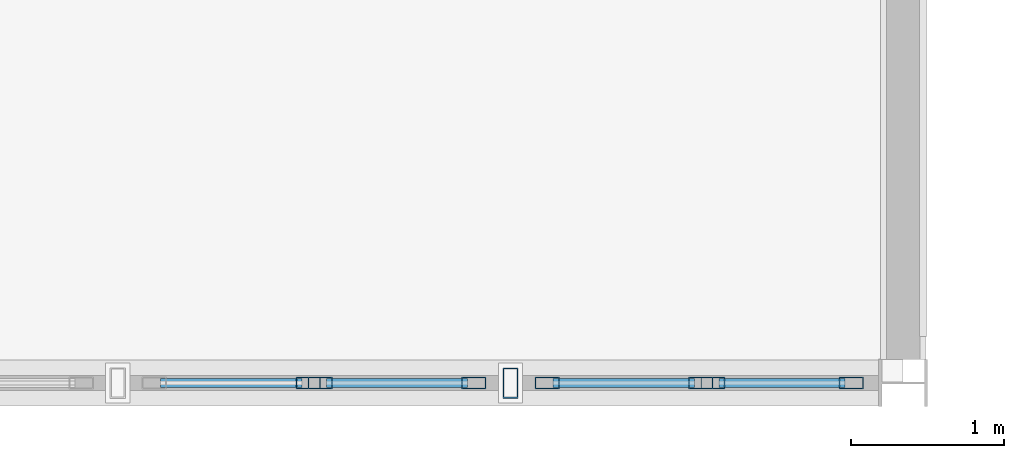
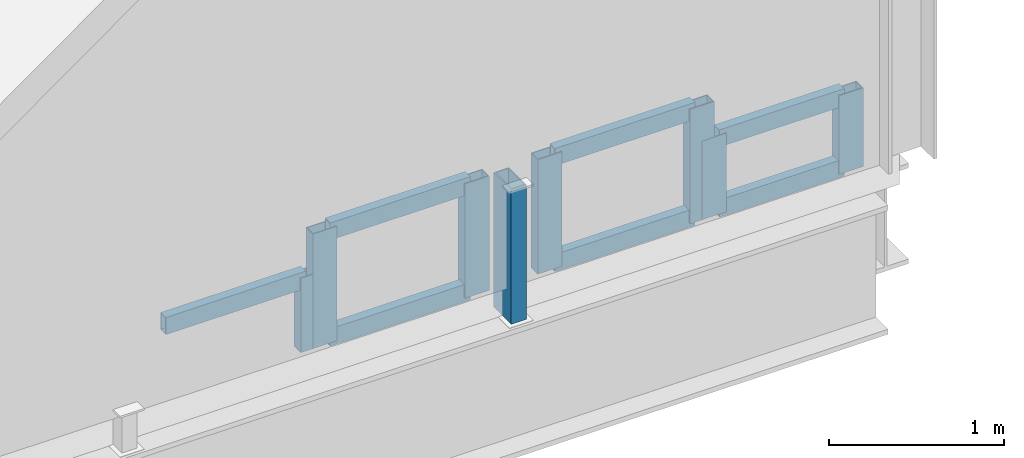
# One storey, part 7 of 20: 15 members, 4 elements without a shape of their own.
"""IFC4 building model written with IfcOpenShell, lengths in metres."""

from ifc_helpers import new_model, si_unit, direction, frame, origin, origin_2d, place, context, subcontext, project, spatial, hollow_rectangle, extrude, material, layer, layer_set, material_profile, profile_set, type_object, element, aggregate, save


model = new_model("IFC4")

# Units and contexts
model_context = context("Model", 3, precision=1e-05, world=origin(), true_north=direction((0.0, 1.0)))
body_context = subcontext(model_context, "Body", "Model", "MODEL_VIEW")
ifc_project = project(units=[si_unit("LENGTHUNIT", "METRE"), si_unit("AREAUNIT", "SQUARE_METRE"), si_unit("VOLUMEUNIT", "CUBIC_METRE"), si_unit("PLANEANGLEUNIT", "RADIAN"), si_unit("MASSUNIT", "GRAM", prefix="KILO"), si_unit("THERMODYNAMICTEMPERATUREUNIT", "KELVIN"), si_unit("POWERUNIT", "WATT")], contexts=[model_context])

# Site, building, storey
site_placement = place(None, origin())
site = spatial("IfcSite", under=ifc_project, at=site_placement, CompositionType="ELEMENT")
building_placement = place(site_placement, origin())
building = spatial("IfcBuilding", under=site, at=building_placement, Name="Kaldorven Railside Theatre", CompositionType="ELEMENT")
storey_placement = place(building_placement, frame((0.0, 0.0, 23.10009765625)))
storey = spatial("IfcBuildingStorey", under=building, at=storey_placement, Name="L05", CompositionType="ELEMENT", Elevation=23.10009765625)

# Curtain wall, member
ifc_material_1 = material(Name="Low-E laminated solar-control glass", Category="glass")
ifc_layer_1 = layer(ifc_material_1, 0.159912109375, Name="Low-E laminated solar-control glass")
ifc_layer_set_1 = layer_set([ifc_layer_1], Name="Low-E laminated solar-control glass")
curtain_wall_type_1 = type_object("IfcCurtainWallType", Name="CWT-43", PredefinedType="USERDEFINED", material=ifc_layer_set_1)
curtain_wall_1_placement = place(storey_placement, origin())
curtain_wall_1 = element("IfcCurtainWall", 1, at=curtain_wall_1_placement, inside=storey, type_object=curtain_wall_type_1, Name="Main Theatre North Ridge Clerestory CWG-057", ObjectType="FLUTED GLAZING", PredefinedType="USERDEFINED")
ifc_material_2 = material(Name="Anodised bronze aluminium", Category="aluminium")
ifc_material_profile_1 = material_profile(ifc_material_2, hollow_rectangle(XDim=0.080078125, YDim=0.159912109375, WallThickness=0.00634765625, at=origin_2d()), Name="RHS 160x80x6.3")
ifc_profile_set_1 = profile_set([ifc_material_profile_1], Name="Anodised bronze aluminium")
member_type_1 = type_object("IfcMemberType", Name="CWM-160", PredefinedType="MULLION", material=ifc_profile_set_1)
member_1_placement = place(storey_placement, frame((119.302978515625, 84.0, 0.02001953125), z_axis=(0.0, 0.0, 1.0), x_axis=(0.0, 1.0, 0.0)))
member_1 = element("IfcMember", 2, at=member_1_placement, type_object=member_type_1, Name="CWG-057 mullion 2", PredefinedType="MULLION", context=body_context, shape_type="SweptSolid", body=[
    extrude(hollow_rectangle(XDim=0.080078125, YDim=0.159912109375, WallThickness=0.00634765625, at=origin_2d()), origin(), (0.0, 0.0, 1.0), 0.519775390625),
])

# Curtain wall, members
ifc_layer_2 = layer(ifc_material_1, 0.159912109375, Name="Low-E laminated solar-control glass")
ifc_layer_set_2 = layer_set([ifc_layer_2], Name="Low-E laminated solar-control glass")
curtain_wall_type_2 = type_object("IfcCurtainWallType", Name="CWT-42", PredefinedType="USERDEFINED", material=ifc_layer_set_2)
curtain_wall_2_placement = place(storey_placement, origin())
curtain_wall_2 = element("IfcCurtainWall", 3, at=curtain_wall_2_placement, inside=storey, type_object=curtain_wall_type_2, Name="Main Theatre North Ridge Clerestory CWG-058", ObjectType="FLUTED GLAZING", PredefinedType="USERDEFINED")
member_2_placement = place(storey_placement, frame((119.3828125, 84.0, 0.02001953125), z_axis=(0.0, 0.0, 1.0), x_axis=(0.0, 1.0, 0.0)))
member_2 = element("IfcMember", 4, at=member_2_placement, type_object=member_type_1, Name="CWG-058 mullion 1", PredefinedType="MULLION", context=body_context, shape_type="SweptSolid", body=[
    extrude(hollow_rectangle(XDim=0.080078125, YDim=0.159912109375, WallThickness=0.00634765625, at=origin_2d()), origin(), (0.0, 0.0, 1.0), 0.7998046875),
])
member_3_placement = place(storey_placement, frame((120.388427734375, 84.0, 0.02001953125), z_axis=(0.0, 0.0, 1.0), x_axis=(0.0, 1.0, 0.0)))
member_3 = element("IfcMember", 5, at=member_3_placement, type_object=member_type_1, Name="CWG-058 mullion 2", PredefinedType="MULLION", context=body_context, shape_type="SweptSolid", body=[
    extrude(hollow_rectangle(XDim=0.080078125, YDim=0.159912109375, WallThickness=0.00634765625, at=origin_2d()), origin(), (0.0, 0.0, 1.0), 0.7998046875),
])

curtain_wall_3_placement = place(storey_placement, origin())
curtain_wall_3 = element("IfcCurtainWall", 6, at=curtain_wall_3_placement, inside=storey, type_object=curtain_wall_type_2, Name="Main Theatre North Ridge Clerestory CWG-059", ObjectType="FLUTED GLAZING", PredefinedType="USERDEFINED")
member_4_placement = place(storey_placement, frame((120.868408203125, 84.0, 0.02001953125), z_axis=(0.0, 0.0, 1.0), x_axis=(0.0, 1.0, 0.0)))
member_4 = element("IfcMember", 7, at=member_4_placement, type_object=member_type_1, Name="CWG-059 mullion 1", PredefinedType="MULLION", context=body_context, shape_type="SweptSolid", body=[
    extrude(hollow_rectangle(XDim=0.080078125, YDim=0.159912109375, WallThickness=0.00634765625, at=origin_2d()), origin(), (0.0, 0.0, 1.0), 0.7998046875),
])
member_5_placement = place(storey_placement, frame((121.874267578125, 84.0, 0.02001953125), z_axis=(0.0, 0.0, 1.0), x_axis=(0.0, 1.0, 0.0)))
member_5 = element("IfcMember", 8, at=member_5_placement, type_object=member_type_1, Name="CWG-059 mullion 2", PredefinedType="MULLION", context=body_context, shape_type="SweptSolid", body=[
    extrude(hollow_rectangle(XDim=0.080078125, YDim=0.159912109375, WallThickness=0.00634765625, at=origin_2d()), origin(), (0.0, 0.0, 1.0), 0.7998046875),
])

ifc_layer_3 = layer(ifc_material_1, 0.159912109375, Name="Low-E laminated solar-control glass")
ifc_layer_set_3 = layer_set([ifc_layer_3], Name="Low-E laminated solar-control glass")
curtain_wall_type_3 = type_object("IfcCurtainWallType", Name="CWT-41", PredefinedType="USERDEFINED", material=ifc_layer_set_3)
curtain_wall_4_placement = place(storey_placement, origin())
curtain_wall_4 = element("IfcCurtainWall", 9, at=curtain_wall_4_placement, inside=storey, type_object=curtain_wall_type_3, Name="Main Theatre North Ridge Clerestory CWG-060", ObjectType="FLUTED GLAZING", PredefinedType="USERDEFINED")
member_6_placement = place(storey_placement, frame((121.954345703125, 84.0, 0.02001953125), z_axis=(0.0, 0.0, 1.0), x_axis=(0.0, 1.0, 0.0)))
member_6 = element("IfcMember", 10, at=member_6_placement, type_object=member_type_1, Name="CWG-060 mullion 1", PredefinedType="MULLION", context=body_context, shape_type="SweptSolid", body=[
    extrude(hollow_rectangle(XDim=0.080078125, YDim=0.159912109375, WallThickness=0.00634765625, at=origin_2d()), origin(), (0.0, 0.0, 1.0), 0.5498046875),
])
member_7_placement = place(storey_placement, frame((122.859619140625, 84.0, 0.02001953125), z_axis=(0.0, 0.0, 1.0), x_axis=(0.0, 1.0, 0.0)))
member_7 = element("IfcMember", 11, at=member_7_placement, type_object=member_type_1, Name="CWG-060 mullion 2", PredefinedType="MULLION", context=body_context, shape_type="SweptSolid", body=[
    extrude(hollow_rectangle(XDim=0.080078125, YDim=0.159912109375, WallThickness=0.00634765625, at=origin_2d()), origin(), (0.0, 0.0, 1.0), 0.5498046875),
])

# Member
ifc_material_profile_2 = material_profile(ifc_material_2, hollow_rectangle(XDim=0.06005859375, YDim=0.1201171875, WallThickness=0.0048828125, at=origin_2d()), Name="RHS 120x60x5")
ifc_profile_set_2 = profile_set([ifc_material_profile_2], Name="Anodised bronze aluminium")
member_type_2 = type_object("IfcMemberType", Name="CWT-120", PredefinedType="USERDEFINED", material=ifc_profile_set_2)
member_8_placement = place(storey_placement, frame((118.337158203125, 84.0, 0.510009765625), z_axis=(1.0, 0.0, 0.0), x_axis=(0.0, 1.0, 0.0)))
member_8 = element("IfcMember", 12, at=member_8_placement, type_object=member_type_2, Name="CWG-057 transom 1.2", ObjectType="TRANSOM", PredefinedType="USERDEFINED", context=body_context, shape_type="SweptSolid", body=[
    extrude(hollow_rectangle(XDim=0.06005859375, YDim=0.1201171875, WallThickness=0.0048828125, at=origin_2d()), origin(), (0.0, 0.0, 1.0), 0.92578125),
])

aggregate(curtain_wall_1, [member_1, member_8])

member_9_placement = place(storey_placement, frame((119.4228515625, 84.0, 0.0498046875), z_axis=(1.0, 0.0, 0.0), x_axis=(0.0, 1.0, 0.0)))
member_9 = element("IfcMember", 13, at=member_9_placement, type_object=member_type_2, Name="CWG-058 transom 1.1", ObjectType="TRANSOM", PredefinedType="USERDEFINED", context=body_context, shape_type="SweptSolid", body=[
    extrude(hollow_rectangle(XDim=0.06005859375, YDim=0.1201171875, WallThickness=0.0048828125, at=origin_2d()), origin(), (0.0, 0.0, 1.0), 0.925537109375),
])

member_10_placement = place(storey_placement, frame((119.4228515625, 84.0, 0.789794921875), z_axis=(1.0, 0.0, 0.0), x_axis=(0.0, 1.0, 0.0)))
member_10 = element("IfcMember", 14, at=member_10_placement, type_object=member_type_2, Name="CWG-058 transom 1.2", ObjectType="TRANSOM", PredefinedType="USERDEFINED", context=body_context, shape_type="SweptSolid", body=[
    extrude(hollow_rectangle(XDim=0.06005859375, YDim=0.1201171875, WallThickness=0.0048828125, at=origin_2d()), origin(), (0.0, 0.0, 1.0), 0.925537109375),
])

aggregate(curtain_wall_2, [member_2, member_3, member_9, member_10])

member_11_placement = place(storey_placement, frame((120.908447265625, 84.0, 0.0498046875), z_axis=(1.0, 0.0, 0.0), x_axis=(0.0, 1.0, 0.0)))
member_11 = element("IfcMember", 15, at=member_11_placement, type_object=member_type_2, Name="CWG-059 transom 1.1", ObjectType="TRANSOM", PredefinedType="USERDEFINED", context=body_context, shape_type="SweptSolid", body=[
    extrude(hollow_rectangle(XDim=0.06005859375, YDim=0.1201171875, WallThickness=0.0048828125, at=origin_2d()), origin(), (0.0, 0.0, 1.0), 0.92578125),
])

member_12_placement = place(storey_placement, frame((120.908447265625, 84.0, 0.789794921875), z_axis=(1.0, 0.0, 0.0), x_axis=(0.0, 1.0, 0.0)))
member_12 = element("IfcMember", 16, at=member_12_placement, type_object=member_type_2, Name="CWG-059 transom 1.2", ObjectType="TRANSOM", PredefinedType="USERDEFINED", context=body_context, shape_type="SweptSolid", body=[
    extrude(hollow_rectangle(XDim=0.06005859375, YDim=0.1201171875, WallThickness=0.0048828125, at=origin_2d()), origin(), (0.0, 0.0, 1.0), 0.92578125),
])

aggregate(curtain_wall_3, [member_4, member_5, member_11, member_12])

member_13_placement = place(storey_placement, frame((121.994384765625, 84.0, 0.0498046875), z_axis=(1.0, 0.0, 0.0), x_axis=(0.0, 1.0, 0.0)))
member_13 = element("IfcMember", 17, at=member_13_placement, type_object=member_type_2, Name="CWG-060 transom 1.1", ObjectType="TRANSOM", PredefinedType="USERDEFINED", context=body_context, shape_type="SweptSolid", body=[
    extrude(hollow_rectangle(XDim=0.06005859375, YDim=0.1201171875, WallThickness=0.0048828125, at=origin_2d()), origin(), (0.0, 0.0, 1.0), 0.8251953125),
])

member_14_placement = place(storey_placement, frame((121.994384765625, 84.0, 0.539794921875), z_axis=(1.0, 0.0, 0.0), x_axis=(0.0, 1.0, 0.0)))
member_14 = element("IfcMember", 18, at=member_14_placement, type_object=member_type_2, Name="CWG-060 transom 1.2", ObjectType="TRANSOM", PredefinedType="USERDEFINED", context=body_context, shape_type="SweptSolid", body=[
    extrude(hollow_rectangle(XDim=0.06005859375, YDim=0.1201171875, WallThickness=0.0048828125, at=origin_2d()), origin(), (0.0, 0.0, 1.0), 0.8251953125),
])

aggregate(curtain_wall_4, [member_6, member_7, member_13, member_14])

ifc_material_3 = material(Name="Steel S355", Category="steel")
ifc_material_profile_3 = material_profile(ifc_material_3, hollow_rectangle(XDim=0.10009765625, YDim=0.199951171875, WallThickness=0.008056640625, at=origin_2d()), Name="RHS 200x100x8")
ifc_profile_set_3 = profile_set([ifc_material_profile_3], Name="Steel S355")
member_type_3 = type_object("IfcMemberType", Name="MEM-RHS200", PredefinedType="STRUT", material=ifc_profile_set_3)
member_15_placement = place(storey_placement, frame((120.62841796875, 84.0, -0.22021484375), z_axis=(0.0, 0.0, 1.0), x_axis=(1.0, 0.0, 0.0)))
element("IfcMember", 19, at=member_15_placement, inside=storey, type_object=member_type_3, Name="V1 N Gable Roof Bearing Post", PredefinedType="STRUT", context=body_context, shape_type="SweptSolid", body=[
    extrude(hollow_rectangle(XDim=0.10009765625, YDim=0.199951171875, WallThickness=0.008056640625, at=origin_2d()), origin(), (0.0, 0.0, 1.0), 0.94140625),
])

save(model, "model.ifc")
